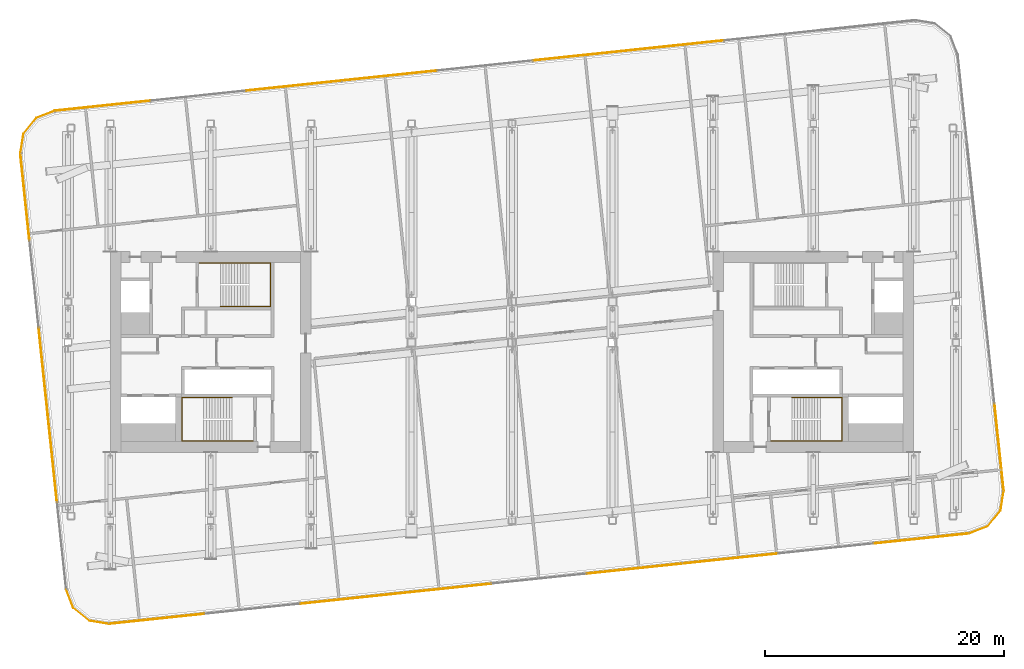
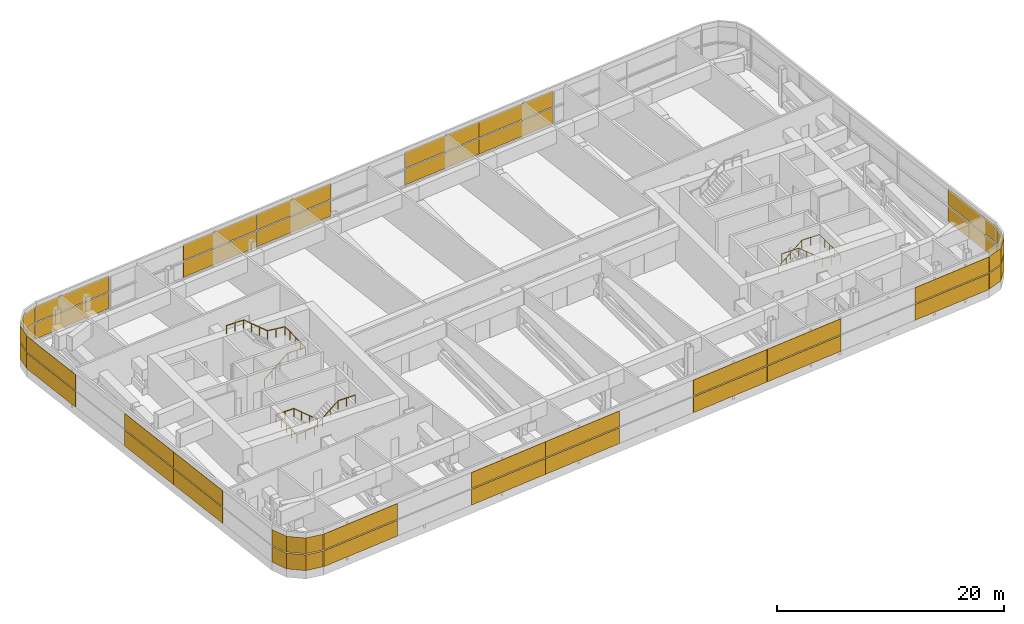
# One storey, part 32 of 33: 36 shading devices, 3 railings, 7 elements without a shape of their own.
"""IFC4 building model written with IfcOpenShell, lengths in metres."""

from ifc_helpers import new_model, si_unit, direction, frame, origin, origin_2d, place, context, subcontext, project, spatial, polyline, rectangle, circle, outline, extrude, material, layer, layer_set, type_object, element, aggregate, save


model = new_model("IFC4")

# Units and contexts
model_context = context("Model", 3, precision=1e-05, world=origin(), true_north=direction((0.0, 1.0)))
body_context = subcontext(model_context, "Body", "Model", "MODEL_VIEW")
ifc_project = project(units=[si_unit("LENGTHUNIT", "METRE"), si_unit("AREAUNIT", "SQUARE_METRE"), si_unit("VOLUMEUNIT", "CUBIC_METRE"), si_unit("PLANEANGLEUNIT", "RADIAN"), si_unit("MASSUNIT", "GRAM", prefix="KILO")], contexts=[model_context])

# Site, building, storey
site_placement = place(None, origin())
site = spatial("IfcSite", under=ifc_project, at=site_placement, CompositionType="ELEMENT")
building_placement = place(site_placement, origin())
building = spatial("IfcBuilding", under=site, at=building_placement, Name="Hakoniwa Tower and Hamabe Station Hall", CompositionType="ELEMENT")
storey_placement = place(building_placement, frame((0.0, 0.0, 228.199951171875)))
storey = spatial("IfcBuildingStorey", under=building, at=storey_placement, Name="L65", CompositionType="ELEMENT", Elevation=228.199951171875)

# Curtain wall, shading devices
ifc_material_1 = material(Name="Dark low-e laminated glass", Category="glass")
ifc_layer_1 = layer(ifc_material_1, 0.199951171875)
ifc_layer_set_1 = layer_set([ifc_layer_1], Name="CW-6 PLANT LOUVRE")
curtain_wall_type = type_object("IfcCurtainWallType", Name="CW-6 PLANT LOUVRE", PredefinedType="NOTDEFINED", material=ifc_layer_set_1)
curtain_wall_1_placement = place(storey_placement, origin())
curtain_wall_1 = element("IfcCurtainWall", 1, at=curtain_wall_1_placement, inside=storey, type_object=curtain_wall_type, Name="CW-6 curtain wall", PredefinedType="NOTDEFINED")
ifc_material_2 = material(Name="Aluminium 6063-T5 black anodised louvre", Category="aluminium")
ifc_layer_2 = layer(ifc_material_2, 0.06005859375)
ifc_layer_set_2 = layer_set([ifc_layer_2], Name="CW-6 LOUVRE UNIT")
shading_device_type = type_object("IfcShadingDeviceType", Name="CW-6 LOUVRE UNIT", PredefinedType="JALOUSIE", material=ifc_layer_set_2)
shading_device_1_placement = place(storey_placement, frame((40.737548828125, -7.962890625, 0.35009765625), z_axis=(0.0, 0.0, 1.0), x_axis=(-0.104528461376, 0.994521895567, 0.0)))
shading_device_1 = element("IfcShadingDevice", 2, at=shading_device_1_placement, type_object=shading_device_type, Name="CW-6 louvre unit", PredefinedType="JALOUSIE", context=body_context, shape_type="SweptSolid", body=[
    extrude(rectangle(XDim=7.31201171875, YDim=0.06005859375, at=origin_2d()), origin(), (0.0, 0.0, 1.0), 1.68994140625),
])
shading_device_2_placement = place(storey_placement, frame((40.737548828125, -7.962890625, 2.16015625), z_axis=(0.0, 0.0, 1.0), x_axis=(-0.104528461376, 0.994521895567, 0.0)))
shading_device_2 = element("IfcShadingDevice", 3, at=shading_device_2_placement, type_object=shading_device_type, Name="CW-6 louvre unit", PredefinedType="JALOUSIE", context=body_context, shape_type="SweptSolid", body=[
    extrude(rectangle(XDim=7.31201171875, YDim=0.06005859375, at=origin_2d()), origin(), (0.0, 0.0, 1.0), 1.68994140625),
])
aggregate(curtain_wall_1, [shading_device_1, shading_device_2])

curtain_wall_2_placement = place(storey_placement, origin())
curtain_wall_2 = element("IfcCurtainWall", 4, at=curtain_wall_2_placement, inside=storey, type_object=curtain_wall_type, Name="CW-6 curtain wall", PredefinedType="NOTDEFINED")
shading_device_3_placement = place(storey_placement, frame((13.734130859375, 25.638671875, 0.35009765625), z_axis=(0.0, 0.0, 1.0), x_axis=(-0.994521895328, -0.10452846365, 0.0)))
shading_device_3 = element("IfcShadingDevice", 5, at=shading_device_3_placement, type_object=shading_device_type, Name="CW-6 louvre unit", PredefinedType="JALOUSIE", context=body_context, shape_type="SweptSolid", body=[
    extrude(rectangle(XDim=8.018798828125, YDim=0.06005859375, at=origin_2d()), origin(), (0.0, 0.0, 1.0), 1.68994140625),
])
shading_device_4_placement = place(storey_placement, frame((13.734130859375, 25.638671875, 2.16015625), z_axis=(0.0, 0.0, 1.0), x_axis=(-0.994521895328, -0.10452846365, 0.0)))
shading_device_4 = element("IfcShadingDevice", 6, at=shading_device_4_placement, type_object=shading_device_type, Name="CW-6 louvre unit", PredefinedType="JALOUSIE", context=body_context, shape_type="SweptSolid", body=[
    extrude(rectangle(XDim=8.018798828125, YDim=0.06005859375, at=origin_2d()), origin(), (0.0, 0.0, 1.0), 1.68994140625),
])
shading_device_5_placement = place(storey_placement, frame((5.7392578125, 24.79833984375, 0.35009765625), z_axis=(0.0, 0.0, 1.0), x_axis=(-0.994521895328, -0.10452846365, 0.0)))
shading_device_5 = element("IfcShadingDevice", 7, at=shading_device_5_placement, type_object=shading_device_type, Name="CW-6 louvre unit", PredefinedType="JALOUSIE", context=body_context, shape_type="SweptSolid", body=[
    extrude(rectangle(XDim=8.018798828125, YDim=0.06005859375, at=origin_2d()), origin(), (0.0, 0.0, 1.0), 1.68994140625),
])
shading_device_6_placement = place(storey_placement, frame((5.7392578125, 24.79833984375, 2.16015625), z_axis=(0.0, 0.0, 1.0), x_axis=(-0.994521895328, -0.10452846365, 0.0)))
shading_device_6 = element("IfcShadingDevice", 8, at=shading_device_6_placement, type_object=shading_device_type, Name="CW-6 louvre unit", PredefinedType="JALOUSIE", context=body_context, shape_type="SweptSolid", body=[
    extrude(rectangle(XDim=8.018798828125, YDim=0.06005859375, at=origin_2d()), origin(), (0.0, 0.0, 1.0), 1.68994140625),
])
shading_device_7_placement = place(storey_placement, frame((-10.25, 23.117919921875, 0.35009765625), z_axis=(0.0, 0.0, 1.0), x_axis=(-0.994521895328, -0.10452846365, 0.0)))
shading_device_7 = element("IfcShadingDevice", 9, at=shading_device_7_placement, type_object=shading_device_type, Name="CW-6 louvre unit", PredefinedType="JALOUSIE", context=body_context, shape_type="SweptSolid", body=[
    extrude(rectangle(XDim=8.018798828125, YDim=0.06005859375, at=origin_2d()), origin(), (0.0, 0.0, 1.0), 1.68994140625),
])
shading_device_8_placement = place(storey_placement, frame((-10.25, 23.117919921875, 2.16015625), z_axis=(0.0, 0.0, 1.0), x_axis=(-0.994521895328, -0.10452846365, 0.0)))
shading_device_8 = element("IfcShadingDevice", 10, at=shading_device_8_placement, type_object=shading_device_type, Name="CW-6 louvre unit", PredefinedType="JALOUSIE", context=body_context, shape_type="SweptSolid", body=[
    extrude(rectangle(XDim=8.018798828125, YDim=0.06005859375, at=origin_2d()), origin(), (0.0, 0.0, 1.0), 1.68994140625),
])
shading_device_9_placement = place(storey_placement, frame((-18.24462890625, 22.277587890625, 0.35009765625), z_axis=(0.0, 0.0, 1.0), x_axis=(-0.994521895328, -0.10452846365, 0.0)))
shading_device_9 = element("IfcShadingDevice", 11, at=shading_device_9_placement, type_object=shading_device_type, Name="CW-6 louvre unit", PredefinedType="JALOUSIE", context=body_context, shape_type="SweptSolid", body=[
    extrude(rectangle(XDim=8.018798828125, YDim=0.06005859375, at=origin_2d()), origin(), (0.0, 0.0, 1.0), 1.68994140625),
])
shading_device_10_placement = place(storey_placement, frame((-18.24462890625, 22.277587890625, 2.16015625), z_axis=(0.0, 0.0, 1.0), x_axis=(-0.994521895328, -0.10452846365, 0.0)))
shading_device_10 = element("IfcShadingDevice", 12, at=shading_device_10_placement, type_object=shading_device_type, Name="CW-6 louvre unit", PredefinedType="JALOUSIE", context=body_context, shape_type="SweptSolid", body=[
    extrude(rectangle(XDim=8.018798828125, YDim=0.06005859375, at=origin_2d()), origin(), (0.0, 0.0, 1.0), 1.68994140625),
])
shading_device_11_placement = place(storey_placement, frame((-34.234130859375, 20.59716796875, 0.35009765625), z_axis=(0.0, 0.0, 1.0), x_axis=(-0.994521895328, -0.10452846365, 0.0)))
shading_device_11 = element("IfcShadingDevice", 13, at=shading_device_11_placement, type_object=shading_device_type, Name="CW-6 louvre unit", PredefinedType="JALOUSIE", context=body_context, shape_type="SweptSolid", body=[
    extrude(rectangle(XDim=8.018798828125, YDim=0.06005859375, at=origin_2d()), origin(), (0.0, 0.0, 1.0), 1.68994140625),
])
shading_device_12_placement = place(storey_placement, frame((-34.234130859375, 20.59716796875, 2.16015625), z_axis=(0.0, 0.0, 1.0), x_axis=(-0.994521895328, -0.10452846365, 0.0)))
shading_device_12 = element("IfcShadingDevice", 14, at=shading_device_12_placement, type_object=shading_device_type, Name="CW-6 louvre unit", PredefinedType="JALOUSIE", context=body_context, shape_type="SweptSolid", body=[
    extrude(rectangle(XDim=8.018798828125, YDim=0.06005859375, at=origin_2d()), origin(), (0.0, 0.0, 1.0), 1.68994140625),
])
aggregate(curtain_wall_2, [shading_device_3, shading_device_4, shading_device_5, shading_device_6, shading_device_7, shading_device_8, shading_device_9, shading_device_10, shading_device_11, shading_device_12])

curtain_wall_3_placement = place(storey_placement, origin())
curtain_wall_3 = element("IfcCurtainWall", 15, at=curtain_wall_3_placement, inside=storey, type_object=curtain_wall_type, Name="CW-6 curtain wall", PredefinedType="NOTDEFINED")
shading_device_13_placement = place(storey_placement, frame((0.0, 0.0, 0.35009765625)))
shading_device_13 = element("IfcShadingDevice", 16, at=shading_device_13_placement, type_object=shading_device_type, Name="CW-6 curved corner unit", PredefinedType="JALOUSIE", context=body_context, shape_type="SweptSolid", body=[
    extrude(outline(polyline([(-38.270263671875, 20.176513671875), (-39.79443359375, 19.59130859375), (-40.873046875, 18.259521484375), (-41.12841796875, 16.64697265625), (-41.100830078125, 16.642578125), (-40.846435546875, 18.247802734375), (-39.777587890625, 19.56787109375), (-38.26025390625, 20.150390625), (-38.270263671875, 20.176513671875)])), origin(), (0.0, 0.0, 1.0), 1.68994140625),
])
shading_device_14_placement = place(storey_placement, frame((0.0, 0.0, 2.16015625)))
shading_device_14 = element("IfcShadingDevice", 17, at=shading_device_14_placement, type_object=shading_device_type, Name="CW-6 curved corner unit", PredefinedType="JALOUSIE", context=body_context, shape_type="SweptSolid", body=[
    extrude(outline(polyline([(-38.270263671875, 20.176513671875), (-39.79443359375, 19.59130859375), (-40.873046875, 18.259521484375), (-41.12841796875, 16.64697265625), (-41.100830078125, 16.642578125), (-40.846435546875, 18.247802734375), (-39.777587890625, 19.56787109375), (-38.26025390625, 20.150390625), (-38.270263671875, 20.176513671875)])), origin(), (0.0, 0.0, 1.0), 1.68994140625),
])
aggregate(curtain_wall_3, [shading_device_13, shading_device_14])

curtain_wall_4_placement = place(storey_placement, origin())
curtain_wall_4 = element("IfcCurtainWall", 18, at=curtain_wall_4_placement, inside=storey, type_object=curtain_wall_type, Name="CW-6 curtain wall", PredefinedType="NOTDEFINED")
shading_device_15_placement = place(storey_placement, frame((-40.737548828125, 12.962890625, 0.35009765625), z_axis=(0.0, 0.0, 1.0), x_axis=(0.104528461376, -0.994521895567, 0.0)))
shading_device_15 = element("IfcShadingDevice", 19, at=shading_device_15_placement, type_object=shading_device_type, Name="CW-6 louvre unit", PredefinedType="JALOUSIE", context=body_context, shape_type="SweptSolid", body=[
    extrude(rectangle(XDim=7.31201171875, YDim=0.06005859375, at=origin_2d()), origin(), (0.0, 0.0, 1.0), 1.68994140625),
])
shading_device_16_placement = place(storey_placement, frame((-40.737548828125, 12.962890625, 2.16015625), z_axis=(0.0, 0.0, 1.0), x_axis=(0.104528461376, -0.994521895567, 0.0)))
shading_device_16 = element("IfcShadingDevice", 20, at=shading_device_16_placement, type_object=shading_device_type, Name="CW-6 louvre unit", PredefinedType="JALOUSIE", context=body_context, shape_type="SweptSolid", body=[
    extrude(rectangle(XDim=7.31201171875, YDim=0.06005859375, at=origin_2d()), origin(), (0.0, 0.0, 1.0), 1.68994140625),
])
shading_device_17_placement = place(storey_placement, frame((-39.204833984375, -1.62060546875, 0.35009765625), z_axis=(0.0, 0.0, 1.0), x_axis=(0.104528461376, -0.994521895567, 0.0)))
shading_device_17 = element("IfcShadingDevice", 21, at=shading_device_17_placement, type_object=shading_device_type, Name="CW-6 louvre unit", PredefinedType="JALOUSIE", context=body_context, shape_type="SweptSolid", body=[
    extrude(rectangle(XDim=7.31201171875, YDim=0.06005859375, at=origin_2d()), origin(), (0.0, 0.0, 1.0), 1.68994140625),
])
shading_device_18_placement = place(storey_placement, frame((-39.204833984375, -1.62060546875, 2.16015625), z_axis=(0.0, 0.0, 1.0), x_axis=(0.104528461376, -0.994521895567, 0.0)))
shading_device_18 = element("IfcShadingDevice", 22, at=shading_device_18_placement, type_object=shading_device_type, Name="CW-6 louvre unit", PredefinedType="JALOUSIE", context=body_context, shape_type="SweptSolid", body=[
    extrude(rectangle(XDim=7.31201171875, YDim=0.06005859375, at=origin_2d()), origin(), (0.0, 0.0, 1.0), 1.68994140625),
])
shading_device_19_placement = place(storey_placement, frame((-38.4384765625, -8.912353515625, 0.35009765625), z_axis=(0.0, 0.0, 1.0), x_axis=(0.104528461376, -0.994521895567, 0.0)))
shading_device_19 = element("IfcShadingDevice", 23, at=shading_device_19_placement, type_object=shading_device_type, Name="CW-6 louvre unit", PredefinedType="JALOUSIE", context=body_context, shape_type="SweptSolid", body=[
    extrude(rectangle(XDim=7.31201171875, YDim=0.06005859375, at=origin_2d()), origin(), (0.0, 0.0, 1.0), 1.68994140625),
])
shading_device_20_placement = place(storey_placement, frame((-38.4384765625, -8.912353515625, 2.16015625), z_axis=(0.0, 0.0, 1.0), x_axis=(0.104528461376, -0.994521895567, 0.0)))
shading_device_20 = element("IfcShadingDevice", 24, at=shading_device_20_placement, type_object=shading_device_type, Name="CW-6 louvre unit", PredefinedType="JALOUSIE", context=body_context, shape_type="SweptSolid", body=[
    extrude(rectangle(XDim=7.31201171875, YDim=0.06005859375, at=origin_2d()), origin(), (0.0, 0.0, 1.0), 1.68994140625),
])
aggregate(curtain_wall_4, [shading_device_15, shading_device_16, shading_device_17, shading_device_18, shading_device_19, shading_device_20])

curtain_wall_5_placement = place(storey_placement, origin())
curtain_wall_5 = element("IfcCurtainWall", 25, at=curtain_wall_5_placement, inside=storey, type_object=curtain_wall_type, Name="CW-6 curtain wall", PredefinedType="NOTDEFINED")
shading_device_21_placement = place(storey_placement, frame((0.0, 0.0, 0.35009765625)))
shading_device_21 = element("IfcShadingDevice", 26, at=shading_device_21_placement, type_object=shading_device_type, Name="CW-6 curved corner unit", PredefinedType="JALOUSIE", context=body_context, shape_type="SweptSolid", body=[
    extrude(outline(polyline([(-37.288330078125, -19.888916015625), (-36.703125, -21.4130859375), (-35.371337890625, -22.49169921875), (-33.7587890625, -22.7470703125), (-33.75439453125, -22.719482421875), (-35.359619140625, -22.465087890625), (-36.6796875, -21.396240234375), (-37.26220703125, -19.87890625), (-37.288330078125, -19.888916015625)])), origin(), (0.0, 0.0, 1.0), 1.68994140625),
])
shading_device_22_placement = place(storey_placement, frame((0.0, 0.0, 2.16015625)))
shading_device_22 = element("IfcShadingDevice", 27, at=shading_device_22_placement, type_object=shading_device_type, Name="CW-6 curved corner unit", PredefinedType="JALOUSIE", context=body_context, shape_type="SweptSolid", body=[
    extrude(outline(polyline([(-37.288330078125, -19.888916015625), (-36.703125, -21.4130859375), (-35.371337890625, -22.49169921875), (-33.7587890625, -22.7470703125), (-33.75439453125, -22.719482421875), (-35.359619140625, -22.465087890625), (-36.6796875, -21.396240234375), (-37.26220703125, -19.87890625), (-37.288330078125, -19.888916015625)])), origin(), (0.0, 0.0, 1.0), 1.68994140625),
])
aggregate(curtain_wall_5, [shading_device_21, shading_device_22])

curtain_wall_6_placement = place(storey_placement, origin())
curtain_wall_6 = element("IfcCurtainWall", 28, at=curtain_wall_6_placement, inside=storey, type_object=curtain_wall_type, Name="CW-6 curtain wall", PredefinedType="NOTDEFINED")
shading_device_23_placement = place(storey_placement, frame((-29.723388671875, -22.3193359375, 0.35009765625), z_axis=(0.0, 0.0, 1.0), x_axis=(0.994521895328, 0.10452846365, 0.0)))
shading_device_23 = element("IfcShadingDevice", 29, at=shading_device_23_placement, type_object=shading_device_type, Name="CW-6 louvre unit", PredefinedType="JALOUSIE", context=body_context, shape_type="SweptSolid", body=[
    extrude(rectangle(XDim=8.018798828125, YDim=0.06005859375, at=origin_2d()), origin(), (0.0, 0.0, 1.0), 1.68994140625),
])
shading_device_24_placement = place(storey_placement, frame((-29.723388671875, -22.3193359375, 2.16015625), z_axis=(0.0, 0.0, 1.0), x_axis=(0.994521895328, 0.10452846365, 0.0)))
shading_device_24 = element("IfcShadingDevice", 30, at=shading_device_24_placement, type_object=shading_device_type, Name="CW-6 louvre unit", PredefinedType="JALOUSIE", context=body_context, shape_type="SweptSolid", body=[
    extrude(rectangle(XDim=8.018798828125, YDim=0.06005859375, at=origin_2d()), origin(), (0.0, 0.0, 1.0), 1.68994140625),
])
shading_device_25_placement = place(storey_placement, frame((-13.734130859375, -20.638671875, 0.35009765625), z_axis=(0.0, 0.0, 1.0), x_axis=(0.994521895328, 0.10452846365, 0.0)))
shading_device_25 = element("IfcShadingDevice", 31, at=shading_device_25_placement, type_object=shading_device_type, Name="CW-6 louvre unit", PredefinedType="JALOUSIE", context=body_context, shape_type="SweptSolid", body=[
    extrude(rectangle(XDim=8.018798828125, YDim=0.06005859375, at=origin_2d()), origin(), (0.0, 0.0, 1.0), 1.68994140625),
])
shading_device_26_placement = place(storey_placement, frame((-13.734130859375, -20.638671875, 2.16015625), z_axis=(0.0, 0.0, 1.0), x_axis=(0.994521895328, 0.10452846365, 0.0)))
shading_device_26 = element("IfcShadingDevice", 32, at=shading_device_26_placement, type_object=shading_device_type, Name="CW-6 louvre unit", PredefinedType="JALOUSIE", context=body_context, shape_type="SweptSolid", body=[
    extrude(rectangle(XDim=8.018798828125, YDim=0.06005859375, at=origin_2d()), origin(), (0.0, 0.0, 1.0), 1.68994140625),
])
shading_device_27_placement = place(storey_placement, frame((-5.7392578125, -19.79833984375, 0.35009765625), z_axis=(0.0, 0.0, 1.0), x_axis=(0.994521895328, 0.10452846365, 0.0)))
shading_device_27 = element("IfcShadingDevice", 33, at=shading_device_27_placement, type_object=shading_device_type, Name="CW-6 louvre unit", PredefinedType="JALOUSIE", context=body_context, shape_type="SweptSolid", body=[
    extrude(rectangle(XDim=8.018798828125, YDim=0.06005859375, at=origin_2d()), origin(), (0.0, 0.0, 1.0), 1.68994140625),
])
shading_device_28_placement = place(storey_placement, frame((-5.7392578125, -19.79833984375, 2.16015625), z_axis=(0.0, 0.0, 1.0), x_axis=(0.994521895328, 0.10452846365, 0.0)))
shading_device_28 = element("IfcShadingDevice", 34, at=shading_device_28_placement, type_object=shading_device_type, Name="CW-6 louvre unit", PredefinedType="JALOUSIE", context=body_context, shape_type="SweptSolid", body=[
    extrude(rectangle(XDim=8.018798828125, YDim=0.06005859375, at=origin_2d()), origin(), (0.0, 0.0, 1.0), 1.68994140625),
])
shading_device_29_placement = place(storey_placement, frame((10.25, -18.117919921875, 0.35009765625), z_axis=(0.0, 0.0, 1.0), x_axis=(0.994521895328, 0.10452846365, 0.0)))
shading_device_29 = element("IfcShadingDevice", 35, at=shading_device_29_placement, type_object=shading_device_type, Name="CW-6 louvre unit", PredefinedType="JALOUSIE", context=body_context, shape_type="SweptSolid", body=[
    extrude(rectangle(XDim=8.018798828125, YDim=0.06005859375, at=origin_2d()), origin(), (0.0, 0.0, 1.0), 1.68994140625),
])
shading_device_30_placement = place(storey_placement, frame((10.25, -18.117919921875, 2.16015625), z_axis=(0.0, 0.0, 1.0), x_axis=(0.994521895328, 0.10452846365, 0.0)))
shading_device_30 = element("IfcShadingDevice", 36, at=shading_device_30_placement, type_object=shading_device_type, Name="CW-6 louvre unit", PredefinedType="JALOUSIE", context=body_context, shape_type="SweptSolid", body=[
    extrude(rectangle(XDim=8.018798828125, YDim=0.06005859375, at=origin_2d()), origin(), (0.0, 0.0, 1.0), 1.68994140625),
])
shading_device_31_placement = place(storey_placement, frame((18.24462890625, -17.277587890625, 0.35009765625), z_axis=(0.0, 0.0, 1.0), x_axis=(0.994521895328, 0.10452846365, 0.0)))
shading_device_31 = element("IfcShadingDevice", 37, at=shading_device_31_placement, type_object=shading_device_type, Name="CW-6 louvre unit", PredefinedType="JALOUSIE", context=body_context, shape_type="SweptSolid", body=[
    extrude(rectangle(XDim=8.018798828125, YDim=0.06005859375, at=origin_2d()), origin(), (0.0, 0.0, 1.0), 1.68994140625),
])
shading_device_32_placement = place(storey_placement, frame((18.24462890625, -17.277587890625, 2.16015625), z_axis=(0.0, 0.0, 1.0), x_axis=(0.994521895328, 0.10452846365, 0.0)))
shading_device_32 = element("IfcShadingDevice", 38, at=shading_device_32_placement, type_object=shading_device_type, Name="CW-6 louvre unit", PredefinedType="JALOUSIE", context=body_context, shape_type="SweptSolid", body=[
    extrude(rectangle(XDim=8.018798828125, YDim=0.06005859375, at=origin_2d()), origin(), (0.0, 0.0, 1.0), 1.68994140625),
])
shading_device_33_placement = place(storey_placement, frame((34.234130859375, -15.59716796875, 0.35009765625), z_axis=(0.0, 0.0, 1.0), x_axis=(0.994521895328, 0.10452846365, 0.0)))
shading_device_33 = element("IfcShadingDevice", 39, at=shading_device_33_placement, type_object=shading_device_type, Name="CW-6 louvre unit", PredefinedType="JALOUSIE", context=body_context, shape_type="SweptSolid", body=[
    extrude(rectangle(XDim=8.018798828125, YDim=0.06005859375, at=origin_2d()), origin(), (0.0, 0.0, 1.0), 1.68994140625),
])
shading_device_34_placement = place(storey_placement, frame((34.234130859375, -15.59716796875, 2.16015625), z_axis=(0.0, 0.0, 1.0), x_axis=(0.994521895328, 0.10452846365, 0.0)))
shading_device_34 = element("IfcShadingDevice", 40, at=shading_device_34_placement, type_object=shading_device_type, Name="CW-6 louvre unit", PredefinedType="JALOUSIE", context=body_context, shape_type="SweptSolid", body=[
    extrude(rectangle(XDim=8.018798828125, YDim=0.06005859375, at=origin_2d()), origin(), (0.0, 0.0, 1.0), 1.68994140625),
])
aggregate(curtain_wall_6, [shading_device_23, shading_device_24, shading_device_25, shading_device_26, shading_device_27, shading_device_28, shading_device_29, shading_device_30, shading_device_31, shading_device_32, shading_device_33, shading_device_34])

curtain_wall_7_placement = place(storey_placement, origin())
curtain_wall_7 = element("IfcCurtainWall", 41, at=curtain_wall_7_placement, inside=storey, type_object=curtain_wall_type, Name="CW-6 curtain wall", PredefinedType="NOTDEFINED")
shading_device_35_placement = place(storey_placement, frame((0.0, 0.0, 0.35009765625)))
shading_device_35 = element("IfcShadingDevice", 42, at=shading_device_35_placement, type_object=shading_device_type, Name="CW-6 curved corner unit", PredefinedType="JALOUSIE", context=body_context, shape_type="SweptSolid", body=[
    extrude(outline(polyline([(38.270263671875, -15.176513671875), (39.79443359375, -14.59130859375), (40.873046875, -13.259521484375), (41.12841796875, -11.64697265625), (41.100830078125, -11.642578125), (40.846435546875, -13.247802734375), (39.777587890625, -14.56787109375), (38.26025390625, -15.150390625), (38.270263671875, -15.176513671875)])), origin(), (0.0, 0.0, 1.0), 1.68994140625),
])
shading_device_36_placement = place(storey_placement, frame((0.0, 0.0, 2.16015625)))
shading_device_36 = element("IfcShadingDevice", 43, at=shading_device_36_placement, type_object=shading_device_type, Name="CW-6 curved corner unit", PredefinedType="JALOUSIE", context=body_context, shape_type="SweptSolid", body=[
    extrude(outline(polyline([(38.270263671875, -15.176513671875), (39.79443359375, -14.59130859375), (40.873046875, -13.259521484375), (41.12841796875, -11.64697265625), (41.100830078125, -11.642578125), (40.846435546875, -13.247802734375), (39.777587890625, -14.56787109375), (38.26025390625, -15.150390625), (38.270263671875, -15.176513671875)])), origin(), (0.0, 0.0, 1.0), 1.68994140625),
])
aggregate(curtain_wall_7, [shading_device_35, shading_device_36])

# Railings
ifc_material_3 = material(Name="Stainless steel SUS304", Category="steel")
railing_type = type_object("IfcRailingType", Name="STAIR HANDRAIL 900", PredefinedType="HANDRAIL", material=ifc_material_3)
railing_1_placement = place(storey_placement, frame((-24.39990234375, 3.81005859375, 0.199951171875)))
element("IfcRailing", 44, at=railing_1_placement, inside=storey, type_object=railing_type, Name="Handrail ST-1 L65 1", PredefinedType="HANDRAIL", context=body_context, shape_type="SweptSolid", body=[
    extrude(circle(Radius=0.02392578125, at=origin_2d()), frame((0.0, 0.0, 0.8759765625), z_axis=(0.768208468069, 0.0, 0.640199773186), x_axis=(0.0, 1.0, 0.0)), (0.0, 0.0, 1.0), 3.1240234375),
    extrude(circle(Radius=0.02392578125, at=origin_2d()), frame((2.39990234375, 0.0, 2.8759765625), z_axis=(1.0, 0.0, 0.0), x_axis=(0.0, 1.0, 0.0)), (0.0, 0.0, 1.0), 1.7900390625),
    extrude(circle(Radius=0.02392578125, at=origin_2d()), frame((4.18994140625, 0.0, 2.8759765625), z_axis=(0.0, 1.0, 0.0), x_axis=(-1.0, 0.0, 0.0)), (0.0, 0.0, 1.0), 3.6298828125),
    extrude(circle(Radius=0.02392578125, at=origin_2d()), frame((4.18994140625, 3.6298828125, 2.8759765625), z_axis=(-0.993804135676, 0.0, 0.111145579822), x_axis=(0.0, -1.0, 0.0)), (0.0, 0.0, 1.0), 1.80126953125),
    extrude(circle(Radius=0.02392578125, at=origin_2d()), frame((2.39990234375, 3.6298828125, 3.076171875), z_axis=(-0.768208468069, 0.0, 0.640199773186), x_axis=(0.0, -1.0, 0.0)), (0.0, 0.0, 1.0), 3.1240234375),
    extrude(circle(Radius=0.02392578125, at=origin_2d()), frame((0.0, 3.6298828125, 5.076171875), z_axis=(-1.0, 0.0, 0.0), x_axis=(0.0, -1.0, 0.0)), (0.0, 0.0, 1.0), 1.739990234375),
    extrude(circle(Radius=0.02099609375, at=origin_2d()), origin(), (0.0, 0.0, 1.0), 0.851806640625),
    extrude(circle(Radius=0.02099609375, at=origin_2d()), frame((0.800048828125, 0.0, 0.666748046875)), (0.0, 0.0, 1.0), 0.851806640625),
    extrude(circle(Radius=0.02099609375, at=origin_2d()), frame((1.599853515625, 0.0, 1.333251953125)), (0.0, 0.0, 1.0), 0.851806640625),
    extrude(circle(Radius=0.02099609375, at=origin_2d()), frame((2.39990234375, 0.0, 2.0)), (0.0, 0.0, 1.0), 0.851806640625),
    extrude(circle(Radius=0.02099609375, at=origin_2d()), frame((3.294921875, 0.0, 2.0)), (0.0, 0.0, 1.0), 0.851806640625),
    extrude(circle(Radius=0.02099609375, at=origin_2d()), frame((4.18994140625, 0.0, 2.0)), (0.0, 0.0, 1.0), 0.851806640625),
    extrude(circle(Radius=0.02099609375, at=origin_2d()), frame((4.18994140625, 0.907470703125, 2.0)), (0.0, 0.0, 1.0), 0.851806640625),
    extrude(circle(Radius=0.02099609375, at=origin_2d()), frame((4.18994140625, 1.81494140625, 2.0)), (0.0, 0.0, 1.0), 0.851806640625),
    extrude(circle(Radius=0.02099609375, at=origin_2d()), frame((4.18994140625, 2.722412109375, 2.0)), (0.0, 0.0, 1.0), 0.851806640625),
    extrude(circle(Radius=0.02099609375, at=origin_2d()), frame((4.18994140625, 3.6298828125, 2.0)), (0.0, 0.0, 1.0), 0.851806640625),
    extrude(circle(Radius=0.02099609375, at=origin_2d()), frame((3.294921875, 3.6298828125, 2.10009765625)), (0.0, 0.0, 1.0), 0.851806640625),
    extrude(circle(Radius=0.02099609375, at=origin_2d()), frame((2.39990234375, 3.6298828125, 2.2001953125)), (0.0, 0.0, 1.0), 0.851806640625),
    extrude(circle(Radius=0.02099609375, at=origin_2d()), frame((1.599853515625, 3.6298828125, 2.866943359375)), (0.0, 0.0, 1.0), 0.851806640625),
    extrude(circle(Radius=0.02099609375, at=origin_2d()), frame((0.800048828125, 3.6298828125, 3.533447265625)), (0.0, 0.0, 1.0), 0.851806640625),
    extrude(circle(Radius=0.02099609375, at=origin_2d()), frame((0.0, 3.6298828125, 4.2001953125)), (0.0, 0.0, 1.0), 0.851806640625),
    extrude(circle(Radius=0.02099609375, at=origin_2d()), frame((-0.8701171875, 3.6298828125, 4.2001953125)), (0.0, 0.0, 1.0), 0.851806640625),
    extrude(circle(Radius=0.02099609375, at=origin_2d()), frame((-1.739990234375, 3.6298828125, 4.2001953125)), (0.0, 0.0, 1.0), 0.851806640625),
])
railing_2_placement = place(storey_placement, frame((-23.39990234375, -3.81005859375, 0.199951171875)))
element("IfcRailing", 45, at=railing_2_placement, inside=storey, type_object=railing_type, Name="Handrail ST-2 L65 1", PredefinedType="HANDRAIL", context=body_context, shape_type="SweptSolid", body=[
    extrude(circle(Radius=0.02392578125, at=origin_2d()), frame((0.0, 0.0, 0.8759765625), z_axis=(-0.76824049516, 0.0, 0.640161340286), x_axis=(0.0, -1.0, 0.0)), (0.0, 0.0, 1.0), 3.124267578125),
    extrude(circle(Radius=0.02392578125, at=origin_2d()), frame((-2.400146484375, 0.0, 2.8759765625), z_axis=(-1.0, 0.0, 0.0), x_axis=(0.0, -1.0, 0.0)), (0.0, 0.0, 1.0), 1.7900390625),
    extrude(circle(Radius=0.02392578125, at=origin_2d()), frame((-4.190185546875, 0.0, 2.8759765625), z_axis=(0.0, -1.0, 0.0), x_axis=(1.0, 0.0, 0.0)), (0.0, 0.0, 1.0), 3.6298828125),
    extrude(circle(Radius=0.02392578125, at=origin_2d()), frame((-4.190185546875, -3.6298828125, 2.8759765625), z_axis=(0.993804135676, 0.0, 0.111145579822), x_axis=(0.0, 1.0, 0.0)), (0.0, 0.0, 1.0), 1.80126953125),
    extrude(circle(Radius=0.02392578125, at=origin_2d()), frame((-2.400146484375, -3.6298828125, 3.076171875), z_axis=(0.76824049516, 0.0, 0.640161340286), x_axis=(0.0, 1.0, 0.0)), (0.0, 0.0, 1.0), 3.124267578125),
    extrude(circle(Radius=0.02392578125, at=origin_2d()), frame((0.0, -3.6298828125, 5.076171875), z_axis=(1.0, 0.0, 0.0), x_axis=(0.0, 1.0, 0.0)), (0.0, 0.0, 1.0), 1.739990234375),
    extrude(circle(Radius=0.02099609375, at=origin_2d()), origin(), (0.0, 0.0, 1.0), 0.851806640625),
    extrude(circle(Radius=0.02099609375, at=origin_2d()), frame((-0.800048828125, 0.0, 0.666748046875)), (0.0, 0.0, 1.0), 0.851806640625),
    extrude(circle(Radius=0.02099609375, at=origin_2d()), frame((-1.60009765625, 0.0, 1.333251953125)), (0.0, 0.0, 1.0), 0.851806640625),
    extrude(circle(Radius=0.02099609375, at=origin_2d()), frame((-2.400146484375, 0.0, 2.0)), (0.0, 0.0, 1.0), 0.851806640625),
    extrude(circle(Radius=0.02099609375, at=origin_2d()), frame((-3.295166015625, 0.0, 2.0)), (0.0, 0.0, 1.0), 0.851806640625),
    extrude(circle(Radius=0.02099609375, at=origin_2d()), frame((-4.190185546875, 0.0, 2.0)), (0.0, 0.0, 1.0), 0.851806640625),
    extrude(circle(Radius=0.02099609375, at=origin_2d()), frame((-4.190185546875, -0.907470703125, 2.0)), (0.0, 0.0, 1.0), 0.851806640625),
    extrude(circle(Radius=0.02099609375, at=origin_2d()), frame((-4.190185546875, -1.81494140625, 2.0)), (0.0, 0.0, 1.0), 0.851806640625),
    extrude(circle(Radius=0.02099609375, at=origin_2d()), frame((-4.190185546875, -2.722412109375, 2.0)), (0.0, 0.0, 1.0), 0.851806640625),
    extrude(circle(Radius=0.02099609375, at=origin_2d()), frame((-4.190185546875, -3.6298828125, 2.0)), (0.0, 0.0, 1.0), 0.851806640625),
    extrude(circle(Radius=0.02099609375, at=origin_2d()), frame((-3.295166015625, -3.6298828125, 2.10009765625)), (0.0, 0.0, 1.0), 0.851806640625),
    extrude(circle(Radius=0.02099609375, at=origin_2d()), frame((-2.400146484375, -3.6298828125, 2.2001953125)), (0.0, 0.0, 1.0), 0.851806640625),
    extrude(circle(Radius=0.02099609375, at=origin_2d()), frame((-1.60009765625, -3.6298828125, 2.866943359375)), (0.0, 0.0, 1.0), 0.851806640625),
    extrude(circle(Radius=0.02099609375, at=origin_2d()), frame((-0.800048828125, -3.6298828125, 3.533447265625)), (0.0, 0.0, 1.0), 0.851806640625),
    extrude(circle(Radius=0.02099609375, at=origin_2d()), frame((0.0, -3.6298828125, 4.2001953125)), (0.0, 0.0, 1.0), 0.851806640625),
    extrude(circle(Radius=0.02099609375, at=origin_2d()), frame((0.8701171875, -3.6298828125, 4.2001953125)), (0.0, 0.0, 1.0), 0.851806640625),
    extrude(circle(Radius=0.02099609375, at=origin_2d()), frame((1.739990234375, -3.6298828125, 4.2001953125)), (0.0, 0.0, 1.0), 0.851806640625),
])
railing_3_placement = place(storey_placement, frame((23.39990234375, -3.81005859375, 0.199951171875)))
element("IfcRailing", 46, at=railing_3_placement, inside=storey, type_object=railing_type, Name="Handrail ST-4 L65 1", PredefinedType="HANDRAIL", context=body_context, shape_type="SweptSolid", body=[
    extrude(circle(Radius=0.02392578125, at=origin_2d()), frame((0.0, 0.0, 0.8759765625), z_axis=(0.76824049516, 0.0, 0.640161340286), x_axis=(0.0, 1.0, 0.0)), (0.0, 0.0, 1.0), 3.124267578125),
    extrude(circle(Radius=0.02392578125, at=origin_2d()), frame((2.400146484375, 0.0, 2.8759765625), z_axis=(1.0, 0.0, 0.0), x_axis=(0.0, 1.0, 0.0)), (0.0, 0.0, 1.0), 1.7900390625),
    extrude(circle(Radius=0.02392578125, at=origin_2d()), frame((4.190185546875, 0.0, 2.8759765625), z_axis=(0.0, -1.0, 0.0), x_axis=(1.0, 0.0, 0.0)), (0.0, 0.0, 1.0), 3.6298828125),
    extrude(circle(Radius=0.02392578125, at=origin_2d()), frame((4.190185546875, -3.6298828125, 2.8759765625), z_axis=(-0.993804135676, 0.0, 0.111145579822), x_axis=(0.0, -1.0, 0.0)), (0.0, 0.0, 1.0), 1.80126953125),
    extrude(circle(Radius=0.02392578125, at=origin_2d()), frame((2.400146484375, -3.6298828125, 3.076171875), z_axis=(-0.76824049516, 0.0, 0.640161340286), x_axis=(0.0, -1.0, 0.0)), (0.0, 0.0, 1.0), 3.124267578125),
    extrude(circle(Radius=0.02392578125, at=origin_2d()), frame((0.0, -3.6298828125, 5.076171875), z_axis=(-1.0, 0.0, 0.0), x_axis=(0.0, -1.0, 0.0)), (0.0, 0.0, 1.0), 1.739990234375),
    extrude(circle(Radius=0.02099609375, at=origin_2d()), origin(), (0.0, 0.0, 1.0), 0.851806640625),
    extrude(circle(Radius=0.02099609375, at=origin_2d()), frame((0.800048828125, 0.0, 0.666748046875)), (0.0, 0.0, 1.0), 0.851806640625),
    extrude(circle(Radius=0.02099609375, at=origin_2d()), frame((1.60009765625, 0.0, 1.333251953125)), (0.0, 0.0, 1.0), 0.851806640625),
    extrude(circle(Radius=0.02099609375, at=origin_2d()), frame((2.400146484375, 0.0, 2.0)), (0.0, 0.0, 1.0), 0.851806640625),
    extrude(circle(Radius=0.02099609375, at=origin_2d()), frame((3.295166015625, 0.0, 2.0)), (0.0, 0.0, 1.0), 0.851806640625),
    extrude(circle(Radius=0.02099609375, at=origin_2d()), frame((4.190185546875, 0.0, 2.0)), (0.0, 0.0, 1.0), 0.851806640625),
    extrude(circle(Radius=0.02099609375, at=origin_2d()), frame((4.190185546875, -0.907470703125, 2.0)), (0.0, 0.0, 1.0), 0.851806640625),
    extrude(circle(Radius=0.02099609375, at=origin_2d()), frame((4.190185546875, -1.81494140625, 2.0)), (0.0, 0.0, 1.0), 0.851806640625),
    extrude(circle(Radius=0.02099609375, at=origin_2d()), frame((4.190185546875, -2.722412109375, 2.0)), (0.0, 0.0, 1.0), 0.851806640625),
    extrude(circle(Radius=0.02099609375, at=origin_2d()), frame((4.190185546875, -3.6298828125, 2.0)), (0.0, 0.0, 1.0), 0.851806640625),
    extrude(circle(Radius=0.02099609375, at=origin_2d()), frame((3.295166015625, -3.6298828125, 2.10009765625)), (0.0, 0.0, 1.0), 0.851806640625),
    extrude(circle(Radius=0.02099609375, at=origin_2d()), frame((2.400146484375, -3.6298828125, 2.2001953125)), (0.0, 0.0, 1.0), 0.851806640625),
    extrude(circle(Radius=0.02099609375, at=origin_2d()), frame((1.60009765625, -3.6298828125, 2.866943359375)), (0.0, 0.0, 1.0), 0.851806640625),
    extrude(circle(Radius=0.02099609375, at=origin_2d()), frame((0.800048828125, -3.6298828125, 3.533447265625)), (0.0, 0.0, 1.0), 0.851806640625),
    extrude(circle(Radius=0.02099609375, at=origin_2d()), frame((0.0, -3.6298828125, 4.2001953125)), (0.0, 0.0, 1.0), 0.851806640625),
    extrude(circle(Radius=0.02099609375, at=origin_2d()), frame((-0.8701171875, -3.6298828125, 4.2001953125)), (0.0, 0.0, 1.0), 0.851806640625),
    extrude(circle(Radius=0.02099609375, at=origin_2d()), frame((-1.739990234375, -3.6298828125, 4.2001953125)), (0.0, 0.0, 1.0), 0.851806640625),
])

save(model, "model.ifc")
